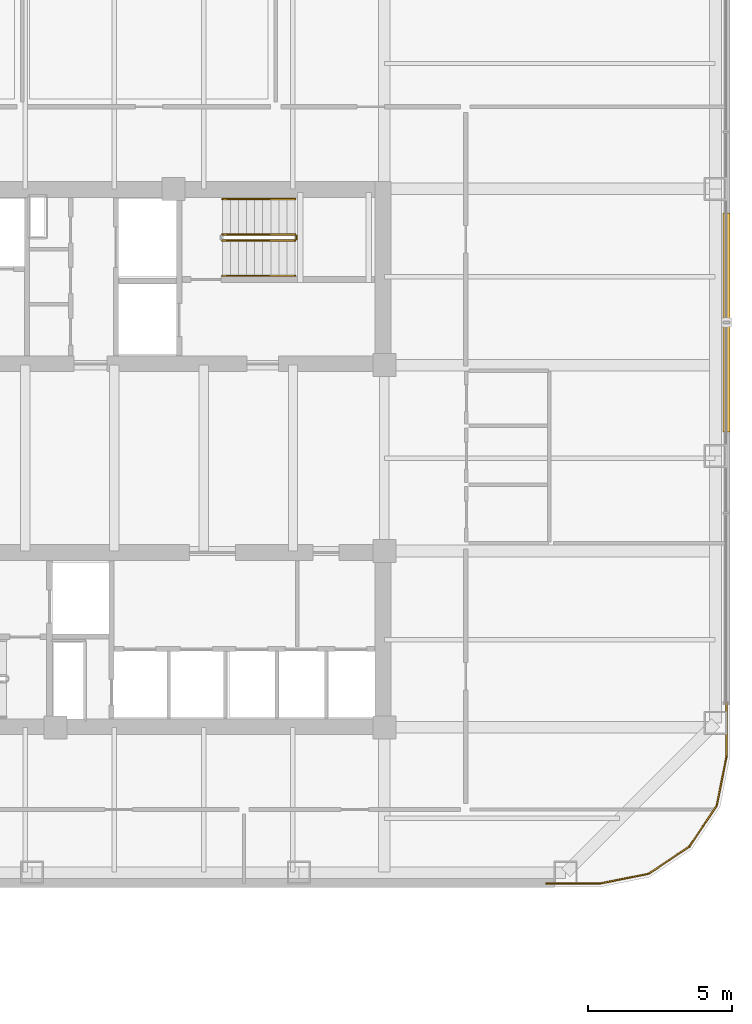
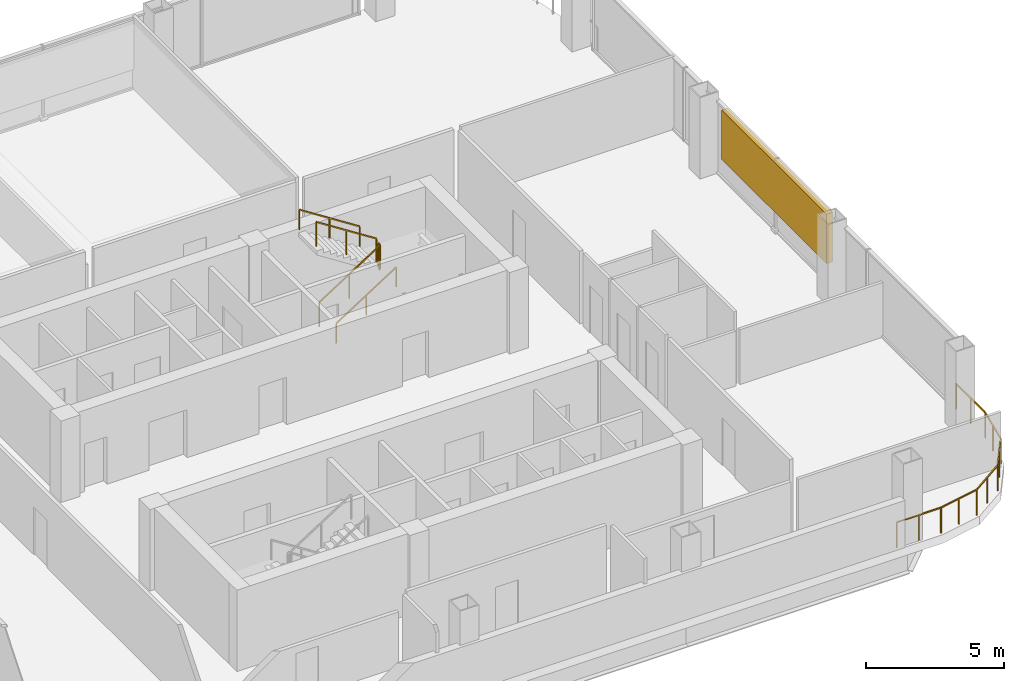
# One storey, part 19 of 20: 7 railings, 1 shading device.
"""IFC4 building model written with IfcOpenShell, lengths in metres."""

from ifc_helpers import new_model, si_unit, direction, frame, origin, origin_2d, place, context, subcontext, project, spatial, rectangle, extrude, material, type_object, element, save


model = new_model("IFC4")

# Units and contexts
model_context = context("Model", 3, precision=1e-05, world=origin(), true_north=direction((0.0, 1.0)))
body_context = subcontext(model_context, "Body", "Model", "MODEL_VIEW")
ifc_project = project(units=[si_unit("LENGTHUNIT", "METRE"), si_unit("AREAUNIT", "SQUARE_METRE"), si_unit("VOLUMEUNIT", "CUBIC_METRE"), si_unit("PLANEANGLEUNIT", "RADIAN"), si_unit("MASSUNIT", "GRAM", prefix="KILO")], contexts=[model_context])

# Site, building, storey
site_placement = place(None, origin())
site = spatial("IfcSite", under=ifc_project, at=site_placement, CompositionType="ELEMENT")
building_placement = place(site_placement, origin())
building = spatial("IfcBuilding", under=site, at=building_placement, Name="Qhalaya Broadcast Tower", CompositionType="ELEMENT")
storey_placement = place(building_placement, frame((0.0, 0.0, 104.85009765625)))
storey = spatial("IfcBuildingStorey", under=building, at=storey_placement, Name="L30", CompositionType="ELEMENT", Elevation=104.85009765625)

# Railings
ifc_material_1 = material(Name="Powder-Coated Galvanised Steel", Category="steel")
railing_type_1 = type_object("IfcRailingType", Name="Stair Wall Handrail 900", PredefinedType="HANDRAIL", material=ifc_material_1)
railing_1_placement = place(storey_placement, frame((3.75, 6.929931640625, 0.179931640625)))
element("IfcRailing", 1, at=railing_1_placement, inside=storey, type_object=railing_type_1, Name="L30 ST-1 Stair Handrail 1", PredefinedType="HANDRAIL", context=body_context, shape_type="SweptSolid", body=[
    extrude(rectangle(XDim=0.048095703125, YDim=0.048095703125, at=origin_2d()), frame((0.0, 0.0, 0.8759765625), z_axis=(0.841199657755, 0.0, 0.540724639528), x_axis=(0.0, 1.0, 0.0)), (0.0, 0.0, 1.0), 2.995849609375),
    extrude(rectangle(XDim=0.0419921875, YDim=0.0419921875, at=origin_2d()), origin(), (0.0, 0.0, 1.0), 0.849853515625),
    extrude(rectangle(XDim=0.0419921875, YDim=0.0419921875, at=origin_2d()), frame((1.260009765625, 0.0, 0.81005859375)), (0.0, 0.0, 1.0), 0.849853515625),
    extrude(rectangle(XDim=0.0419921875, YDim=0.0419921875, at=origin_2d()), frame((2.52001953125, 0.0, 1.619873046875)), (0.0, 0.0, 1.0), 0.849853515625),
])
railing_2_placement = place(storey_placement, frame((6.27001953125, 9.590087890625, 1.97998046875)))
element("IfcRailing", 2, at=railing_2_placement, inside=storey, type_object=railing_type_1, Name="L30 ST-1 Stair Handrail 2", PredefinedType="HANDRAIL", context=body_context, shape_type="SweptSolid", body=[
    extrude(rectangle(XDim=0.048095703125, YDim=0.048095703125, at=origin_2d()), frame((0.0, 0.0, 0.8759765625), z_axis=(-0.841199657755, 0.0, 0.540724639528), x_axis=(0.0, -1.0, 0.0)), (0.0, 0.0, 1.0), 2.995849609375),
    extrude(rectangle(XDim=0.0419921875, YDim=0.0419921875, at=origin_2d()), origin(), (0.0, 0.0, 1.0), 0.849853515625),
    extrude(rectangle(XDim=0.0419921875, YDim=0.0419921875, at=origin_2d()), frame((-1.260009765625, 0.0, 0.81005859375)), (0.0, 0.0, 1.0), 0.849853515625),
    extrude(rectangle(XDim=0.0419921875, YDim=0.0419921875, at=origin_2d()), frame((-2.52001953125, 0.0, 1.619873046875)), (0.0, 0.0, 1.0), 0.849853515625),
])
railing_type_2 = type_object("IfcRailingType", Name="Stair Well & Landing Guardrail 1100", PredefinedType="GUARDRAIL", material=ifc_material_1)
railing_3_placement = place(storey_placement, frame((3.75, 8.14990234375, 0.179931640625)))
element("IfcRailing", 3, at=railing_3_placement, inside=storey, type_object=railing_type_2, Name="L30 ST-1 Stair Guard 1", PredefinedType="GUARDRAIL", context=body_context, shape_type="SweptSolid", body=[
    extrude(rectangle(XDim=0.048095703125, YDim=0.048095703125, at=origin_2d()), frame((0.0, 0.0, 1.076171875), z_axis=(0.841199657755, 0.0, 0.540724639528), x_axis=(0.0, 1.0, 0.0)), (0.0, 0.0, 1.0), 2.995849609375),
    extrude(rectangle(XDim=0.0419921875, YDim=0.0419921875, at=origin_2d()), origin(), (0.0, 0.0, 1.0), 1.050048828125),
    extrude(rectangle(XDim=0.0419921875, YDim=0.0419921875, at=origin_2d()), frame((1.260009765625, 0.0, 0.81005859375)), (0.0, 0.0, 1.0), 1.050048828125),
    extrude(rectangle(XDim=0.0419921875, YDim=0.0419921875, at=origin_2d()), frame((2.52001953125, 0.0, 1.619873046875)), (0.0, 0.0, 1.0), 1.050048828125),
])
railing_4_placement = place(storey_placement, frame((6.320068359375, 8.199951171875, 1.7998046875)))
element("IfcRailing", 4, at=railing_4_placement, inside=storey, type_object=railing_type_2, Name="L30 ST-1 Stair Guard 2", PredefinedType="GUARDRAIL", context=body_context, shape_type="SweptSolid", body=[
    extrude(rectangle(XDim=0.048095703125, YDim=0.048095703125, at=origin_2d()), frame((0.0, 0.0, 1.076171875), z_axis=(0.0, 1.0, 0.0), x_axis=(-1.0, 0.0, 0.0)), (0.0, 0.0, 1.0), 0.1201171875),
    extrude(rectangle(XDim=0.0419921875, YDim=0.0419921875, at=origin_2d()), origin(), (0.0, 0.0, 1.0), 1.050048828125),
    extrude(rectangle(XDim=0.0419921875, YDim=0.0419921875, at=origin_2d()), frame((0.0, 0.1201171875, 0.0)), (0.0, 0.0, 1.0), 1.050048828125),
])
railing_5_placement = place(storey_placement, frame((6.27001953125, 8.3701171875, 1.97998046875)))
element("IfcRailing", 5, at=railing_5_placement, inside=storey, type_object=railing_type_2, Name="L30 ST-1 Stair Guard 3", PredefinedType="GUARDRAIL", context=body_context, shape_type="SweptSolid", body=[
    extrude(rectangle(XDim=0.048095703125, YDim=0.048095703125, at=origin_2d()), frame((0.0, 0.0, 1.076171875), z_axis=(-0.841199657755, 0.0, 0.540724639528), x_axis=(0.0, -1.0, 0.0)), (0.0, 0.0, 1.0), 2.995849609375),
    extrude(rectangle(XDim=0.0419921875, YDim=0.0419921875, at=origin_2d()), origin(), (0.0, 0.0, 1.0), 1.050048828125),
    extrude(rectangle(XDim=0.0419921875, YDim=0.0419921875, at=origin_2d()), frame((-1.260009765625, 0.0, 0.81005859375)), (0.0, 0.0, 1.0), 1.050048828125),
    extrude(rectangle(XDim=0.0419921875, YDim=0.0419921875, at=origin_2d()), frame((-2.52001953125, 0.0, 1.619873046875)), (0.0, 0.0, 1.0), 1.050048828125),
])
railing_type_3 = type_object("IfcRailingType", Name="Terrace, Sky-Pool & Lookout Glass Balustrade 1150", PredefinedType="BALUSTRADE", material=ifc_material_1)
railing_6_placement = place(storey_placement, frame((16.858154296875, -14.169921875, 0.0)))
element("IfcRailing", 6, at=railing_6_placement, inside=storey, type_object=railing_type_3, Name="L30 Rounded Corner Perimeter Guard 01", PredefinedType="BALUSTRADE", context=body_context, shape_type="SweptSolid", body=[
    extrude(rectangle(XDim=0.048095703125, YDim=0.048095703125, at=origin_2d()), frame((0.0, 0.0, 1.1259765625), z_axis=(-1.0, 0.0, 0.0), x_axis=(0.0, -1.0, 0.0)), (0.0, 0.0, 1.0), 1.856201171875),
    extrude(rectangle(XDim=0.0419921875, YDim=0.0419921875, at=origin_2d()), origin(), (0.0, 0.0, 1.0), 1.099853515625),
    extrude(rectangle(XDim=0.0419921875, YDim=0.0419921875, at=origin_2d()), frame((-0.92822265625, 0.0, 0.0)), (0.0, 0.0, 1.0), 1.099853515625),
    extrude(rectangle(XDim=0.0419921875, YDim=0.0419921875, at=origin_2d()), frame((-1.856201171875, 0.0, 0.0)), (0.0, 0.0, 1.0), 1.099853515625),
])
railing_7_placement = place(storey_placement, frame((21.25, -7.659912109375, 0.0)))
element("IfcRailing", 7, at=railing_7_placement, inside=storey, type_object=railing_type_3, Name="L30 Rounded Corner Perimeter Guard 05", PredefinedType="BALUSTRADE", context=body_context, shape_type="SweptSolid", body=[
    extrude(rectangle(XDim=0.048095703125, YDim=0.048095703125, at=origin_2d()), frame((0.0, 0.0, 1.1259765625), z_axis=(0.0, -1.0, 0.0), x_axis=(1.0, 0.0, 0.0)), (0.0, 0.0, 1.0), 2.089599609375),
    extrude(rectangle(XDim=0.048095703125, YDim=0.048095703125, at=origin_2d()), frame((-0.005615234375, -2.146728515625, 1.1259765625), z_axis=(-0.195024175165, -0.980798435511, 0.0), x_axis=(0.980798435511, -0.195024175165, 0.0)), (0.0, 0.0, 1.0), 1.662353515625),
    extrude(rectangle(XDim=0.048095703125, YDim=0.048095703125, at=origin_2d()), frame((-0.3515625, -3.829345703125, 1.1259765625), z_axis=(-0.555590476887, -0.831456085426, 0.0), x_axis=(0.831456085426, -0.555590476887, 0.0)), (0.0, 0.0, 1.0), 1.650390625),
    extrude(rectangle(XDim=0.048095703125, YDim=0.048095703125, at=origin_2d()), frame((-1.308349609375, -5.24169921875, 1.1259765625), z_axis=(-0.831456085426, -0.555590476887, 0.0), x_axis=(0.555590476887, -0.831456085426, 0.0)), (0.0, 0.0, 1.0), 1.650390625),
    extrude(rectangle(XDim=0.048095703125, YDim=0.048095703125, at=origin_2d()), frame((-2.73291015625, -6.18017578125, 1.1259765625), z_axis=(-0.980803832953, -0.194997028864, 0.0), x_axis=(0.194997028864, -0.980803832953, 0.0)), (0.0, 0.0, 1.0), 1.69140625),
    extrude(rectangle(XDim=0.0419921875, YDim=0.0419921875, at=origin_2d()), origin(), (0.0, 0.0, 1.0), 1.099853515625),
    extrude(rectangle(XDim=0.0419921875, YDim=0.0419921875, at=origin_2d()), frame((0.0, -1.05908203125, 0.0)), (0.0, 0.0, 1.0), 1.099853515625),
    extrude(rectangle(XDim=0.0419921875, YDim=0.0419921875, at=origin_2d()), frame((0.0, -2.118408203125, 0.0)), (0.0, 0.0, 1.0), 1.099853515625),
    extrude(rectangle(XDim=0.0419921875, YDim=0.0419921875, at=origin_2d()), frame((-0.167724609375, -2.9619140625, 0.0)), (0.0, 0.0, 1.0), 1.099853515625),
    extrude(rectangle(XDim=0.0419921875, YDim=0.0419921875, at=origin_2d()), frame((-0.33544921875, -3.805419921875, 0.0)), (0.0, 0.0, 1.0), 1.099853515625),
    extrude(rectangle(XDim=0.0419921875, YDim=0.0419921875, at=origin_2d()), frame((-0.81005859375, -4.515625, 0.0)), (0.0, 0.0, 1.0), 1.099853515625),
    extrude(rectangle(XDim=0.0419921875, YDim=0.0419921875, at=origin_2d()), frame((-1.284423828125, -5.2255859375, 0.0)), (0.0, 0.0, 1.0), 1.099853515625),
    extrude(rectangle(XDim=0.0419921875, YDim=0.0419921875, at=origin_2d()), frame((-1.99462890625, -5.7001953125, 0.0)), (0.0, 0.0, 1.0), 1.099853515625),
    extrude(rectangle(XDim=0.0419921875, YDim=0.0419921875, at=origin_2d()), frame((-2.70458984375, -6.174560546875, 0.0)), (0.0, 0.0, 1.0), 1.099853515625),
    extrude(rectangle(XDim=0.0419921875, YDim=0.0419921875, at=origin_2d()), frame((-3.54833984375, -6.34228515625, 0.0)), (0.0, 0.0, 1.0), 1.099853515625),
    extrude(rectangle(XDim=0.0419921875, YDim=0.0419921875, at=origin_2d()), frame((-4.391845703125, -6.510009765625, 0.0)), (0.0, 0.0, 1.0), 1.099853515625),
])

# Shading device
ifc_material_2 = material(Name="Fired Architectural Terracotta", Category="masonry")
shading_device_type = type_object("IfcShadingDeviceType", Name="Terracotta Baguette Solar Screen Assembly TBS-01", PredefinedType="USERDEFINED", material=ifc_material_2)
shading_device_placement = place(storey_placement, frame((21.25, 5.31005859375, 0.9013671875), z_axis=(0.0, 0.0, 1.0), x_axis=(0.0, 1.0, 0.0)))
element("IfcShadingDevice", 8, at=shading_device_placement, inside=storey, type_object=shading_device_type, Name="L30 Fired Terracotta Baguette Screen E", ObjectType="BAGUETTE", PredefinedType="USERDEFINED", context=body_context, shape_type="SweptSolid", body=[
    extrude(rectangle(XDim=7.60009765625, YDim=0.239990234375, at=origin_2d()), origin(), (0.0, 0.0, 1.0), 2.18994140625),
])

save(model, "model.ifc")
